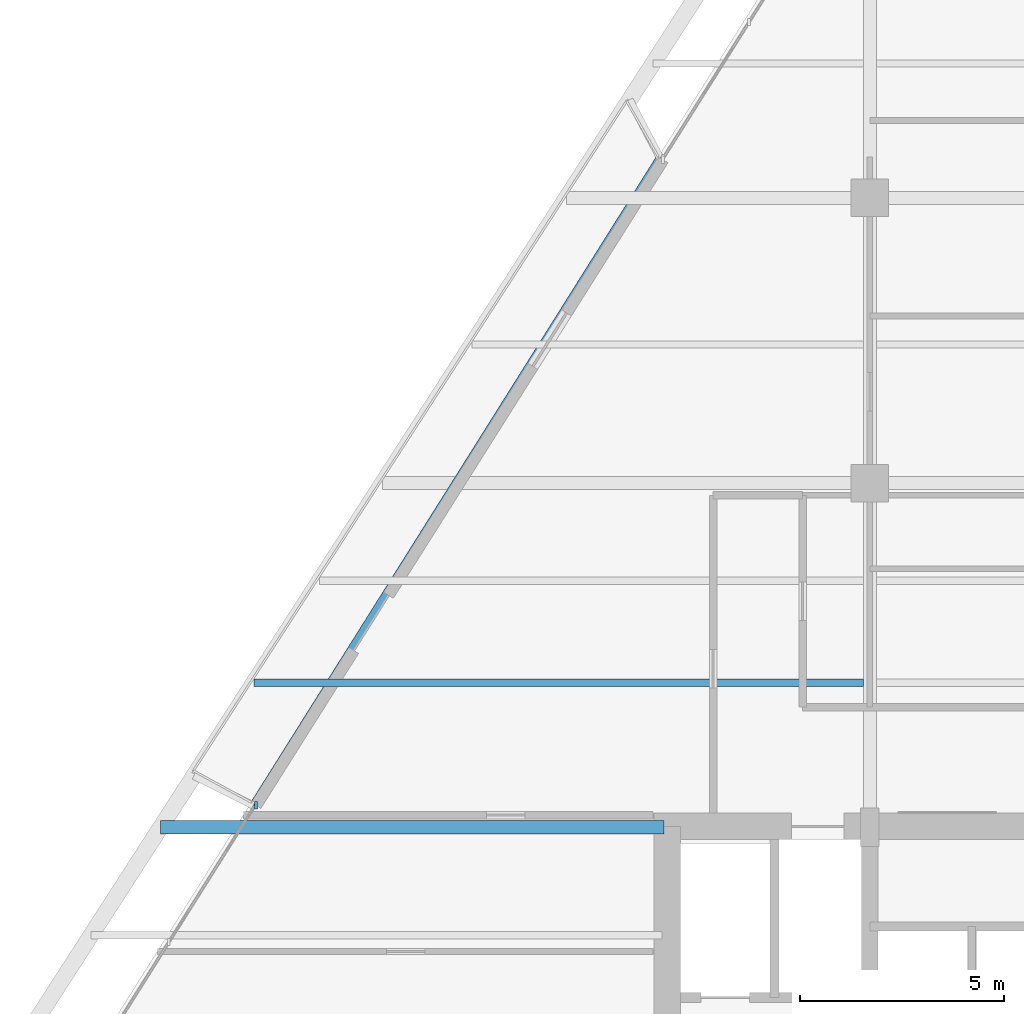
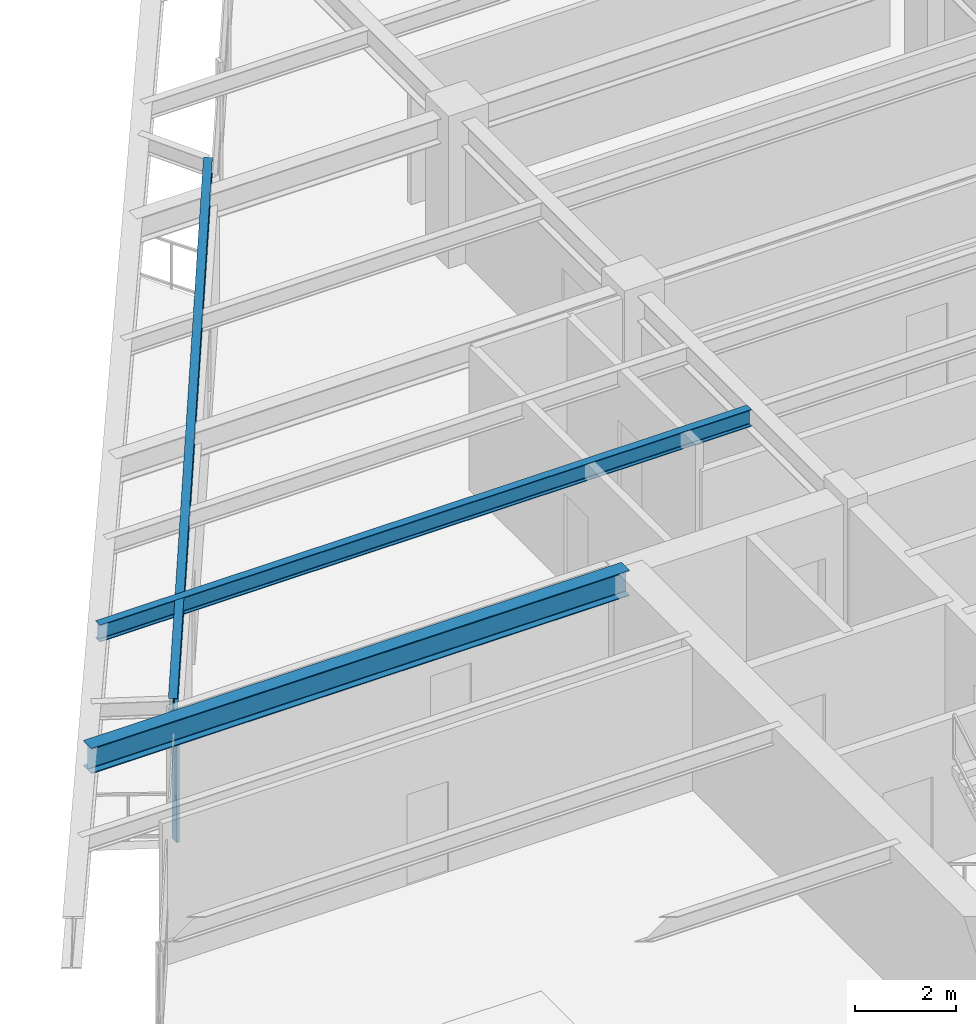
# One storey, part 4 of 15: 3 beams, 1 member, 1 element without a shape of its own.
"""IFC4 building model written with IfcOpenShell, lengths in metres."""

from ifc_helpers import new_model, si_unit, direction, frame, origin, origin_2d, place, context, subcontext, project, spatial, rectangle, i_section, extrude, source, transform, mapped, material, material_profile, profile_set, type_object, element, aggregate, save


model = new_model("IFC4")

# Units and contexts
model_context = context("Model", 3, precision=1e-05, world=origin(), true_north=direction((0.0, 1.0)))
body_context = subcontext(model_context, "Body", "Model", "MODEL_VIEW")
ifc_project = project(units=[si_unit("LENGTHUNIT", "METRE"), si_unit("AREAUNIT", "SQUARE_METRE"), si_unit("VOLUMEUNIT", "CUBIC_METRE"), si_unit("PLANEANGLEUNIT", "RADIAN"), si_unit("MASSUNIT", "GRAM", prefix="KILO")], contexts=[model_context])

# Site, building, storey
site_placement = place(None, origin())
site = spatial("IfcSite", under=ifc_project, at=site_placement, CompositionType="ELEMENT")
building_placement = place(site_placement, origin())
building = spatial("IfcBuilding", under=site, at=building_placement, Name="Varnakhor Terracotta Tower", CompositionType="ELEMENT")
storey_placement = place(building_placement, frame((0.0, 0.0, 171.0)))
storey = spatial("IfcBuildingStorey", under=building, at=storey_placement, Name="L43", CompositionType="ELEMENT", Elevation=171.0)

# Beams
ifc_material_1 = material(Name="Steel S355", Category="steel")
ifc_material_profile_1 = material_profile(ifc_material_1, i_section(OverallWidth=0.179931640625, OverallDepth=0.39990234375, WebThickness=0.008544921875, FlangeThickness=0.013427734375, FilletRadius=0.01806640625, at=origin_2d()), Name="IPE400")
ifc_profile_set_1 = profile_set([ifc_material_profile_1], Name="Steel S355")
beam_type_1 = type_object("IfcBeamType", Name="JST-IPE400", PredefinedType="JOIST", material=ifc_profile_set_1)
shared_shape_1 = source(origin(), body_context, "Body", "SweptSolid", [
    extrude(i_section(OverallWidth=0.179931640625, OverallDepth=0.39990234375, WebThickness=0.008544921875, FlangeThickness=0.013427734375, FilletRadius=0.01806640625, at=origin_2d()), origin(), (0.0, 0.0, 1.0), 18.776611328125),
])
beam_1_placement = place(storey_placement, frame((-10.65087890625, 32.489013671875, 3.27001953125), z_axis=(-0.531886323481, -0.846815764434, 0.0), x_axis=(0.846815764434, -0.531886323481, 0.0)))
element("IfcBeam", 1, at=beam_1_placement, inside=storey, type_object=beam_type_1, Name="L43 Loggia Edge Beam 2", PredefinedType="JOIST", context=body_context, shape_type="MappedRepresentation", body=[
    mapped(shared_shape_1, transform((0.0, 0.0, 0.0), scale=1.0)),
])
ifc_material_profile_2 = material_profile(ifc_material_1, i_section(OverallWidth=0.324951171875, OverallDepth=0.615966796875, WebThickness=0.013916015625, FlangeThickness=0.02197265625, FilletRadius=0.01806640625, at=origin_2d()), Name="W24X117")
ifc_profile_set_2 = profile_set([ifc_material_profile_2], Name="Steel S355")
beam_type_2 = type_object("IfcBeamType", Name="BM-W24X117", PredefinedType="BEAM", material=ifc_profile_set_2)
shared_shape_2 = source(origin(), body_context, "Body", "SweptSolid", [
    extrude(i_section(OverallWidth=0.324951171875, OverallDepth=0.615966796875, WebThickness=0.013916015625, FlangeThickness=0.02197265625, FilletRadius=0.01806640625, at=origin_2d()), origin(), (0.0, 0.0, 1.0), 12.360595703125),
])
beam_2_placement = place(storey_placement, frame((-22.91064453125, 16.050048828125, 3.162109375), z_axis=(1.0, 0.0, 0.0), x_axis=(0.0, 1.0, 0.0)))
element("IfcBeam", 2, at=beam_2_placement, inside=storey, type_object=beam_type_2, Name="L43 Wing Girder W", PredefinedType="BEAM", context=body_context, shape_type="MappedRepresentation", body=[
    mapped(shared_shape_2, transform((0.0, 0.0, 0.0), scale=1.0)),
])
ifc_material_profile_3 = material_profile(ifc_material_1, i_section(OverallWidth=0.179931640625, OverallDepth=0.4130859375, WebThickness=0.009765625, FlangeThickness=0.01611328125, FilletRadius=0.01806640625, at=origin_2d()), Name="W16X50")
ifc_profile_set_3 = profile_set([ifc_material_profile_3], Name="Steel S355")
beam_type_3 = type_object("IfcBeamType", Name="JST-W16X50", PredefinedType="JOIST", material=ifc_profile_set_3)
shared_shape_3 = source(origin(), body_context, "Body", "SweptSolid", [
    extrude(i_section(OverallWidth=0.179931640625, OverallDepth=0.4130859375, WebThickness=0.009765625, FlangeThickness=0.01611328125, FilletRadius=0.01806640625, at=origin_2d()), origin(), (0.0, 0.0, 1.0), 14.9638671875),
])
beam_3_placement = place(storey_placement, frame((-20.622314453125, 19.60009765625, 3.263427734375), z_axis=(1.0, 0.0, 0.0), x_axis=(0.0, 1.0, 0.0)))
element("IfcBeam", 3, at=beam_3_placement, inside=storey, type_object=beam_type_3, Name="L43 Composite Floor Joist 4-1", PredefinedType="JOIST", context=body_context, shape_type="MappedRepresentation", body=[
    mapped(shared_shape_3, transform((0.0, 0.0, 0.0), scale=1.0)),
])

# Curtain wall, member
ifc_material_2 = material(Name="Anodised Aluminium Curtain Wall System", Category="aluminium")
curtain_wall_type = type_object("IfcCurtainWallType", Name="CW-SYS-MID-OFFICE", PredefinedType="NOTDEFINED", material=ifc_material_2)
curtain_wall_placement = place(storey_placement, origin())
curtain_wall = element("IfcCurtainWall", 4, at=curtain_wall_placement, inside=storey, type_object=curtain_wall_type, Name="L43 W Facet Curtain Wall 1", PredefinedType="NOTDEFINED")
ifc_material_3 = material(Name="Anodised Aluminium 6063-T6", Category="aluminium")
ifc_material_profile_4 = material_profile(ifc_material_3, rectangle(XDim=0.070068359375, YDim=0.175048828125, at=origin_2d()), Name="ALU MULLION 70x175")
ifc_profile_set_4 = profile_set([ifc_material_profile_4], Name="Anodised Aluminium 6063-T6")
member_type = type_object("IfcMemberType", Name="CWM-03", PredefinedType="MULLION", material=ifc_profile_set_4)
shared_shape_4 = source(origin(), body_context, "Body", "SweptSolid", [
    extrude(rectangle(XDim=0.070068359375, YDim=0.175048828125, at=origin_2d()), origin(), (0.0, 0.0, 1.0), 3.050048828125),
])
member_placement = place(storey_placement, frame((-20.566650390625, 16.5908203125, 0.0), z_axis=(0.0, 0.0, 1.0), x_axis=(1.0, 0.0, 0.0)))
member = element("IfcMember", 5, at=member_placement, type_object=member_type, Name="L43 W Loggia Jamb Closure Mullion 1", PredefinedType="MULLION", context=body_context, shape_type="MappedRepresentation", body=[
    mapped(shared_shape_4, transform((0.0, 0.0, 0.0), scale=1.0)),
])
aggregate(curtain_wall, [member])

save(model, "model.ifc")
